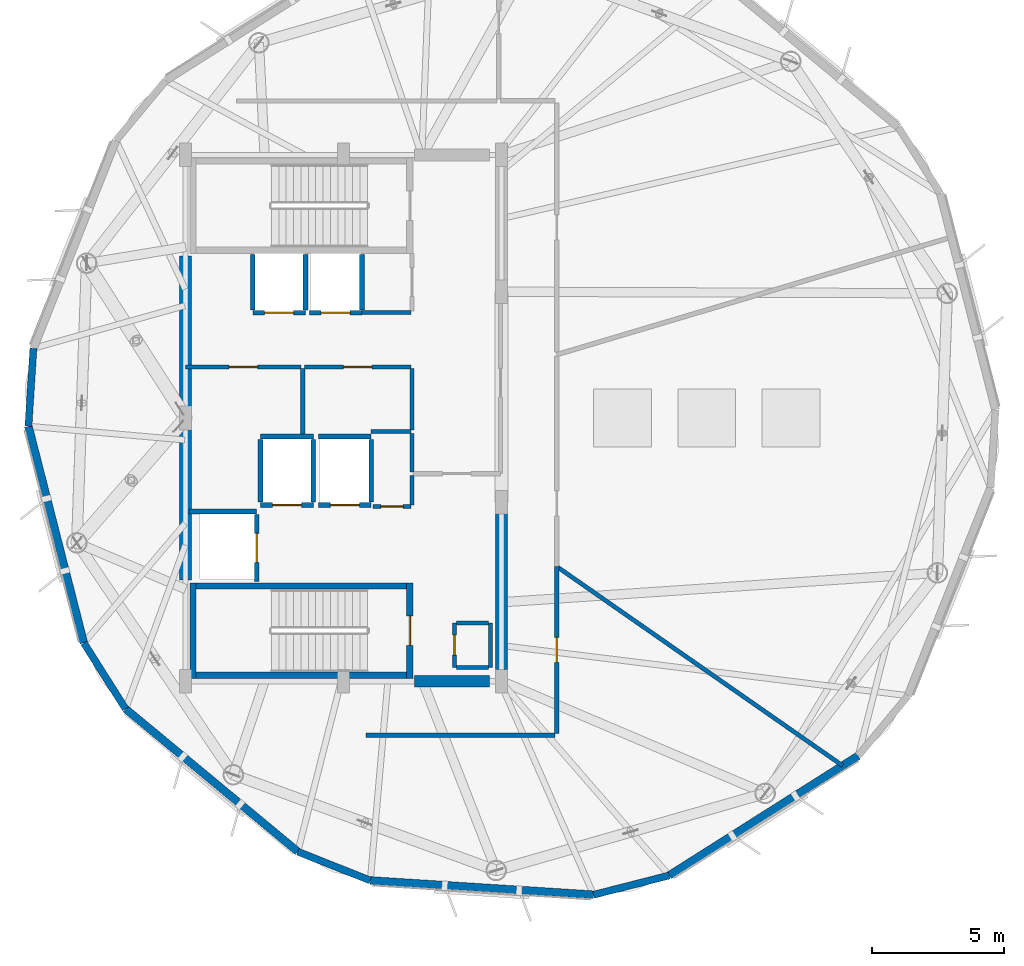
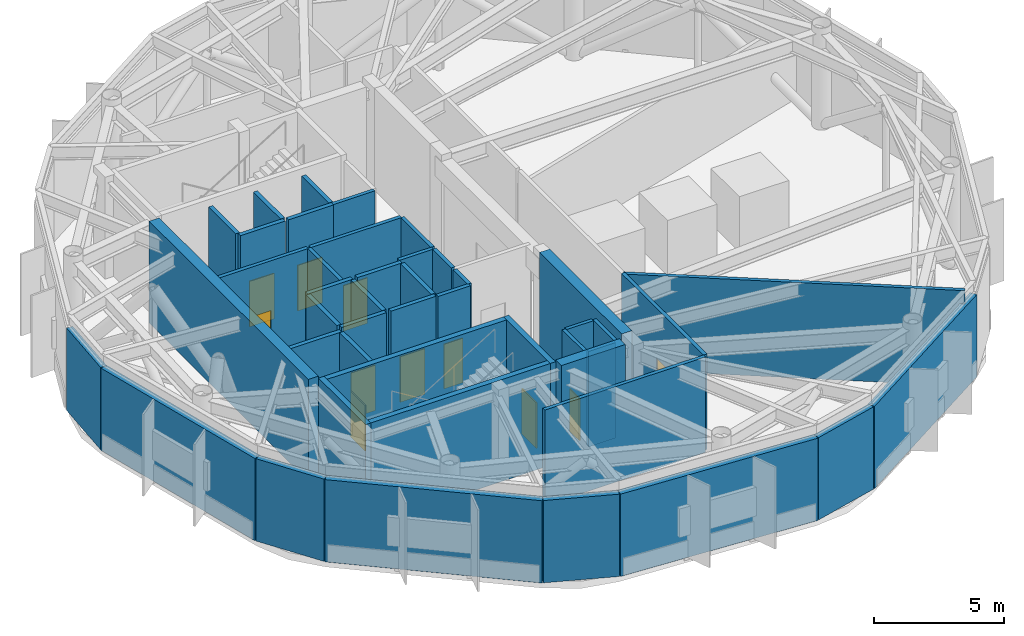
# One storey, part 9 of 14: 45 walls, 11 doors, 11 openings.
"""IFC4 building model written with IfcOpenShell, lengths in metres."""

from ifc_helpers import new_model, si_unit, direction, frame, frame_2d, origin, place, context, subcontext, project, spatial, rectangle, extrude, material, layer, layer_set, type_object, element, fill, save


model = new_model("IFC4")

# Units and contexts
model_context = context("Model", 3, precision=1e-05, world=origin(), true_north=direction((0.0, 1.0)))
body_context = subcontext(model_context, "Body", "Model", "MODEL_VIEW")
ifc_project = project(units=[si_unit("LENGTHUNIT", "METRE"), si_unit("AREAUNIT", "SQUARE_METRE"), si_unit("VOLUMEUNIT", "CUBIC_METRE"), si_unit("PLANEANGLEUNIT", "RADIAN"), si_unit("MASSUNIT", "GRAM", prefix="KILO")], contexts=[model_context])

# Site, building, storey
site_placement = place(None, origin())
site = spatial("IfcSite", under=ifc_project, at=site_placement, CompositionType="ELEMENT")
building_placement = place(site_placement, origin())
building = spatial("IfcBuilding", under=site, at=building_placement, Name="Soratama Intermodal Tower", CompositionType="ELEMENT")
storey_placement = place(building_placement, frame((0.0, 0.0, 283.75)))
storey = spatial("IfcBuildingStorey", under=building, at=storey_placement, Name="L72", CompositionType="ELEMENT", Elevation=283.75)

# Walls
ifc_material_1 = material(Name="Concrete f'c 42 MPa", Category="concrete")
ifc_layer_1 = layer(ifc_material_1, 0.27001953125)
ifc_layer_set_1 = layer_set([ifc_layer_1], Name="Concrete f'c 42 MPa")
wall_type_1 = type_object("IfcWallType", Name="EW-CRN-270", PredefinedType="SOLIDWALL", material=ifc_layer_set_1)
for number, where, z_axis, x_axis, name in (
    (1, (26.81396484375, 27.649658203125, 0.0), (0.0, 0.0, 1.0), (-0.063864083628, -0.997958605766, 0.0), "L72 Corner Closure Wall 03"),
    (2, (28.729736328125, 16.4541015625, 0.0), (0.0, 0.0, 1.0), (0.53500509147, -0.844848833876, 0.0), "L72 Corner Closure Wall 04"),
    (3, (36.8603515625, 8.52294921875, 0.0), (0.0, 0.0, 1.0), (0.929387668471, -0.369105082183, 0.0), "L72 Corner Closure Wall 05"),
):
    element("IfcWall", number, at=place(storey_placement, frame(where, z_axis=z_axis, x_axis=x_axis)), inside=storey, type_object=wall_type_1, Name=name, PredefinedType="SOLIDWALL", context=body_context, shape_type="SweptSolid", body=[
        extrude(rectangle(XDim=2.966552734375, YDim=0.27001953125, at=frame_2d((1.4833984375, 0.0))), origin(), (0.0, 0.0, 1.0), 3.87890625),
    ])
wall_1_placement = place(storey_placement, frame((48.099853515625, 6.88525390625, 0.0), z_axis=(0.0, 0.0, 1.0), x_axis=(0.968836239426, 0.247702121861, 0.0)))
element("IfcWall", 4, at=wall_1_placement, inside=storey, type_object=wall_type_1, Name="L72 Corner Closure Wall 06", PredefinedType="SOLIDWALL", context=body_context, shape_type="SweptSolid", body=[
    extrude(rectangle(XDim=2.966796875, YDim=0.27001953125, at=frame_2d((1.4833984375, 0.0))), origin(), (0.0, 0.0, 1.0), 3.87890625),
])
ifc_material_2 = material(Name="Concrete f'c 42 MPa", Category="concrete")
ifc_layer_2 = layer(ifc_material_2, 0.300048828125)
ifc_layer_set_2 = layer_set([ifc_layer_2], Name="Concrete f'c 42 MPa")
wall_type_2 = type_object("IfcWallType", Name="EW-STONE-300", PredefinedType="SOLIDWALL", material=ifc_layer_set_2)
wall_2_placement = place(storey_placement, frame((26.62451171875, 24.689208984375, 0.0), z_axis=(0.0, 0.0, 1.0), x_axis=(0.24767525763, -0.968843107401, 0.0)))
element("IfcWall", 5, at=wall_2_placement, inside=storey, type_object=wall_type_2, Name="L72 Plant Wall F04", PredefinedType="SOLIDWALL", context=body_context, shape_type="SweptSolid", body=[
    extrude(rectangle(XDim=8.5, YDim=0.300048828125, at=frame_2d((4.25, 0.0))), origin(), (0.0, 0.0, 1.0), 3.87890625),
])
for number, where, z_axis, x_axis, name in (
    (6, (30.31689453125, 13.94775390625, 0.0), (0.0, 0.0, 1.0), (0.769843323731, -0.638232917443, 0.0), "L72 Plant Wall F05"),
    (7, (39.617431640625, 7.427978515625, 0.0), (0.0, 0.0, 1.0), (0.997959397667, -0.06385170795, 0.0), "L72 Plant Wall F06"),
    (8, (50.97412109375, 7.6201171875, 0.0), (0.0, 0.0, 1.0), (0.844890477206, 0.534939325089, 0.0), "L72 Plant Wall F07"),
):
    element("IfcWall", number, at=place(storey_placement, frame(where, z_axis=z_axis, x_axis=x_axis)), inside=storey, type_object=wall_type_2, Name=name, PredefinedType="SOLIDWALL", context=body_context, shape_type="SweptSolid", body=[
        extrude(rectangle(XDim=8.499755859375, YDim=0.300048828125, at=frame_2d((4.25, 0.0))), origin(), (0.0, 0.0, 1.0), 3.87890625),
    ])
ifc_material_3 = material(Name="Fire-rated gypsum stud partition", Category="concrete")
ifc_layer_3 = layer(ifc_material_3, 0.14990234375)
ifc_layer_set_3 = layer_set([ifc_layer_3], Name="Fire-rated gypsum stud partition")
wall_type_3 = type_object("IfcWallType", Name="IW-PART-R150", PredefinedType="PARTITIONING", material=ifc_layer_set_3)
for number, where, z_axis, x_axis, name in (
    (9, (42.89990234375, 15.52001953125, 0.0), (0.0, 0.0, 1.0), (1.0, 0.0, 0.0), "L72 Riser Wall S"),
    (10, (42.89990234375, 17.219970703125, 0.0), (0.0, 0.0, 1.0), (1.0, 0.0, 0.0), "L72 Riser Wall N"),
):
    element("IfcWall", number, at=place(storey_placement, frame(where, z_axis=z_axis, x_axis=x_axis)), inside=storey, type_object=wall_type_3, Name=name, PredefinedType="PARTITIONING", context=body_context, shape_type="SweptSolid", body=[
        extrude(rectangle(XDim=1.2001953125, YDim=0.14990234375, at=frame_2d((0.60009765625, 0.0))), origin(), (0.0, 0.0, 1.0), 4.5),
    ])
wall_3_placement = place(storey_placement, frame((44.179931640625, 15.52001953125, 0.0), z_axis=(0.0, 0.0, 1.0), x_axis=(0.0, 1.0, 0.0)))
element("IfcWall", 11, at=wall_3_placement, inside=storey, type_object=wall_type_3, Name="L72 Riser Wall E", PredefinedType="PARTITIONING", context=body_context, shape_type="SweptSolid", body=[
    extrude(rectangle(XDim=1.699951171875, YDim=0.14990234375, at=frame_2d((0.85009765625, 0.0))), origin(), (0.0, 0.0, 1.0), 4.5),
])

# Wall, opening, door
wall_4_placement = place(storey_placement, frame((42.820068359375, 15.52001953125, 0.0), z_axis=(0.0, 0.0, 1.0), x_axis=(0.0, 1.0, 0.0)))
wall_4 = element("IfcWall", 12, at=wall_4_placement, inside=storey, type_object=wall_type_3, Name="L72 Riser Front Wall", PredefinedType="PARTITIONING", context=body_context, shape_type="SweptSolid", body=[
    extrude(rectangle(XDim=1.699951171875, YDim=0.14990234375, at=frame_2d((0.85009765625, 0.0))), origin(), (0.0, 0.0, 1.0), 4.5),
])
opening_1_placement = place(wall_4_placement, frame((0.469970703125, 0.0, 0.0)))
opening_1 = element("IfcOpeningElement", 13, at=opening_1_placement, cuts=wall_4, Name="Opening TD-1", PredefinedType="OPENING", context=body_context, shape_type="SweptSolid", body=[
    extrude(rectangle(XDim=0.760009765625, YDim=2.0, at=frame_2d((0.3798828125, 1.0))), frame((0.0, 0.0849609375, 0.0), z_axis=(0.0, -1.0, 0.0), x_axis=(1.0, 0.0, 0.0)), (0.0, 0.0, 1.0), 0.169921875),
])
ifc_material_4 = material(Name="Steel fire door", Category="steel")
door_type_1 = type_object("IfcDoorType", Name="DR-RISER-TRAP", OperationType="NOTDEFINED", PredefinedType="TRAPDOOR", material=ifc_material_4)
door_1_placement = place(opening_1_placement, origin())
door_1 = element("IfcDoor", 14, at=door_1_placement, inside=storey, type_object=door_type_1, Name="L72 Riser Inspection Door", OperationType="SINGLE_SWING_LEFT", OverallHeight=2.0, OverallWidth=0.760009765625, PredefinedType="TRAPDOOR", context=body_context, shape_type="SweptSolid", body=[
    extrude(rectangle(XDim=0.760009765625, YDim=2.0, at=frame_2d((0.3798828125, 1.0))), frame((0.0, 0.02490234375, 0.0), z_axis=(0.0, -1.0, 0.0), x_axis=(1.0, 0.0, 0.0)), (0.0, 0.0, 1.0), 0.050048828125),
])
fill(opening_1, door_1)

# Wall
ifc_material_5 = material(Name="Fire-rated gypsum stud partition", Category="concrete")
ifc_layer_4 = layer(ifc_material_5, 0.159912109375)
ifc_layer_set_4 = layer_set([ifc_layer_4], Name="Fire-rated gypsum stud partition")
wall_type_4 = type_object("IfcWallType", Name="IW-PART-R160", PredefinedType="PARTITIONING", material=ifc_layer_set_4)
wall_5_placement = place(storey_placement, frame((57.56298828125, 11.7919921875, 0.0), z_axis=(0.0, 0.0, 1.0), x_axis=(-0.820550968736, 0.571573361614, 0.0)))
element("IfcWall", 15, at=wall_5_placement, inside=storey, type_object=wall_type_4, Name="L72 Partition W-L72-TP002", PredefinedType="PARTITIONING", context=body_context, shape_type="SweptSolid", body=[
    extrude(rectangle(XDim=13.23876953125, YDim=0.159912109375, at=frame_2d((6.619384765625, 0.0))), origin(), (0.0, 0.0, 1.0), 4.5),
])

# Wall, opening, door
wall_6_placement = place(storey_placement, frame((46.699951171875, 19.35888671875, 0.0), z_axis=(0.0, 0.0, 1.0), x_axis=(0.0, -1.0, 0.0)))
wall_6 = element("IfcWall", 16, at=wall_6_placement, inside=storey, type_object=wall_type_4, Name="L72 Partition W-L72-TP006", PredefinedType="PARTITIONING", context=body_context, shape_type="SweptSolid", body=[
    extrude(rectangle(XDim=6.3388671875, YDim=0.159912109375, at=frame_2d((3.16943359375, 0.0))), origin(), (0.0, 0.0, 1.0), 4.5),
])
opening_2_placement = place(wall_6_placement, frame((2.695068359375, 0.0, 0.0)))
opening_2 = element("IfcOpeningElement", 17, at=opening_2_placement, cuts=wall_6, Name="Opening ID-3", PredefinedType="OPENING", context=body_context, shape_type="SweptSolid", body=[
    extrude(rectangle(XDim=0.949951171875, YDim=2.14990234375, at=frame_2d((0.47509765625, 1.074951171875))), frame((0.0, 0.08984375, 0.0), z_axis=(0.0, -1.0, 0.0), x_axis=(1.0, 0.0, 0.0)), (0.0, 0.0, 1.0), 0.179931640625),
])
ifc_material_6 = material(Name="Solid hardwood acoustic door", Category="wood")
door_type_2 = type_object("IfcDoorType", Name="DR-ROOM-950", OperationType="NOTDEFINED", PredefinedType="DOOR", material=ifc_material_6)
door_2_placement = place(opening_2_placement, origin())
door_2 = element("IfcDoor", 18, at=door_2_placement, inside=storey, type_object=door_type_2, Name="L72 Door D-L72-TP004", OperationType="SINGLE_SWING_LEFT", OverallHeight=2.14990234375, OverallWidth=0.949951171875, PredefinedType="DOOR", context=body_context, shape_type="SweptSolid", body=[
    extrude(rectangle(XDim=0.949951171875, YDim=2.14990234375, at=frame_2d((0.47509765625, 1.074951171875))), frame((0.0, 0.02490234375, 0.0), z_axis=(0.0, -1.0, 0.0), x_axis=(1.0, 0.0, 0.0)), (0.0, 0.0, 1.0), 0.050048828125),
])
fill(opening_2, door_2)

wall_7_placement = place(storey_placement, frame((36.989990234375, 26.93994140625, 0.0), z_axis=(0.0, 0.0, 1.0), x_axis=(-1.0, 0.0, 0.0)))
wall_7 = element("IfcWall", 19, at=wall_7_placement, inside=storey, type_object=wall_type_4, Name="L72 Partition W-L72-TP008", PredefinedType="PARTITIONING", context=body_context, shape_type="SweptSolid", body=[
    extrude(rectangle(XDim=4.389892578125, YDim=0.159912109375, at=frame_2d((2.19482421875, 0.0))), origin(), (0.0, 0.0, 1.0), 4.5),
])
opening_3_placement = place(wall_7_placement, frame((1.655029296875, 0.0, 0.0)))
opening_3 = element("IfcOpeningElement", 20, at=opening_3_placement, cuts=wall_7, Name="Opening ID-1", PredefinedType="OPENING", context=body_context, shape_type="SweptSolid", body=[
    extrude(rectangle(XDim=1.080078125, YDim=2.14990234375, at=frame_2d((0.5400390625, 1.074951171875))), frame((0.0, 0.08984375, 0.0), z_axis=(0.0, -1.0, 0.0), x_axis=(1.0, 0.0, 0.0)), (0.0, 0.0, 1.0), 0.179931640625),
])
ifc_material_7 = material(Name="Solid hardwood acoustic door", Category="wood")
door_type_3 = type_object("IfcDoorType", Name="DR-LOB-FD60", OperationType="NOTDEFINED", PredefinedType="DOOR", material=ifc_material_7)
door_3_placement = place(opening_3_placement, origin())
door_3 = element("IfcDoor", 21, at=door_3_placement, inside=storey, type_object=door_type_3, Name="L72 Door D-L72-TP005", OperationType="SINGLE_SWING_RIGHT", OverallHeight=2.14990234375, OverallWidth=1.080078125, PredefinedType="DOOR", context=body_context, shape_type="SweptSolid", body=[
    extrude(rectangle(XDim=1.080078125, YDim=2.14990234375, at=frame_2d((0.5400390625, 1.074951171875))), frame((0.0, 0.02490234375, 0.0), z_axis=(0.0, -1.0, 0.0), x_axis=(1.0, 0.0, 0.0)), (0.0, 0.0, 1.0), 0.050048828125),
])
fill(opening_3, door_3)

wall_8_placement = place(storey_placement, frame((41.159912109375, 26.93994140625, 0.0), z_axis=(0.0, 0.0, 1.0), x_axis=(-1.0, 0.0, 0.0)))
wall_8 = element("IfcWall", 22, at=wall_8_placement, inside=storey, type_object=wall_type_4, Name="L72 Partition W-L72-TP009", PredefinedType="PARTITIONING", context=body_context, shape_type="SweptSolid", body=[
    extrude(rectangle(XDim=4.0498046875, YDim=0.159912109375, at=frame_2d((2.02490234375, 0.0))), origin(), (0.0, 0.0, 1.0), 4.5),
])
opening_4_placement = place(wall_8_placement, frame((1.485107421875, 0.0, 0.0)))
opening_4 = element("IfcOpeningElement", 23, at=opening_4_placement, cuts=wall_8, Name="Opening ID-1", PredefinedType="OPENING", context=body_context, shape_type="SweptSolid", body=[
    extrude(rectangle(XDim=1.080078125, YDim=2.14990234375, at=frame_2d((0.5400390625, 1.074951171875))), frame((0.0, 0.08984375, 0.0), z_axis=(0.0, -1.0, 0.0), x_axis=(1.0, 0.0, 0.0)), (0.0, 0.0, 1.0), 0.179931640625),
])
door_4_placement = place(opening_4_placement, origin())
door_4 = element("IfcDoor", 24, at=door_4_placement, inside=storey, type_object=door_type_3, Name="L72 Door D-L72-TP006", OperationType="SINGLE_SWING_LEFT", OverallHeight=2.14990234375, OverallWidth=1.080078125, PredefinedType="DOOR", context=body_context, shape_type="SweptSolid", body=[
    extrude(rectangle(XDim=1.080078125, YDim=2.14990234375, at=frame_2d((0.5400390625, 1.074951171875))), frame((0.0, 0.02490234375, 0.0), z_axis=(0.0, -1.0, 0.0), x_axis=(1.0, 0.0, 0.0)), (0.0, 0.0, 1.0), 0.050048828125),
])
fill(opening_4, door_4)

# Walls
wall_9_placement = place(storey_placement, frame((37.050048828125, 26.8798828125, 0.0), z_axis=(0.0, 0.0, 1.0), x_axis=(0.0, -1.0, 0.0)))
element("IfcWall", 25, at=wall_9_placement, inside=storey, type_object=wall_type_4, Name="L72 Partition W-L72-TP011", PredefinedType="PARTITIONING", context=body_context, shape_type="SweptSolid", body=[
    extrude(rectangle(XDim=2.579833984375, YDim=0.159912109375, at=frame_2d((1.2900390625, 0.0))), origin(), (0.0, 0.0, 1.0), 4.5),
])
wall_10_placement = place(storey_placement, frame((41.199951171875, 24.550048828125, 0.0), z_axis=(0.0, 0.0, 1.0), x_axis=(0.0, 1.0, 0.0)))
element("IfcWall", 26, at=wall_10_placement, inside=storey, type_object=wall_type_4, Name="L72 Partition W-L72-TP012", PredefinedType="PARTITIONING", context=body_context, shape_type="SweptSolid", body=[
    extrude(rectangle(XDim=2.329833984375, YDim=0.159912109375, at=frame_2d((1.1650390625, 0.0))), origin(), (0.0, 0.0, 1.0), 4.5),
])
wall_11_placement = place(storey_placement, frame((39.300048828125, 29.010009765625, 0.0), z_axis=(0.0, 0.0, 1.0), x_axis=(1.0, 0.0, 0.0)))
element("IfcWall", 27, at=wall_11_placement, inside=storey, type_object=wall_type_4, Name="L72 Partition W-L72-TP015", PredefinedType="PARTITIONING", context=body_context, shape_type="SweptSolid", body=[
    extrude(rectangle(XDim=1.85986328125, YDim=0.159912109375, at=frame_2d((0.929931640625, 0.0))), origin(), (0.0, 0.0, 1.0), 4.5),
])
wall_12_placement = place(storey_placement, frame((39.64990234375, 24.485107421875, 0.0), z_axis=(0.0, 0.0, 1.0), x_axis=(1.0, 0.0, 0.0)))
element("IfcWall", 28, at=wall_12_placement, inside=storey, type_object=wall_type_4, Name="L72 Partition W-L72-TP016", PredefinedType="PARTITIONING", context=body_context, shape_type="SweptSolid", body=[
    extrude(rectangle(XDim=1.510009765625, YDim=0.159912109375, at=frame_2d((0.7548828125, 0.0))), origin(), (0.0, 0.0, 1.0), 4.5),
])
wall_13_placement = place(storey_placement, frame((41.199951171875, 22.9599609375, 0.0), z_axis=(0.0, 0.0, 1.0), x_axis=(0.0, 1.0, 0.0)))
element("IfcWall", 29, at=wall_13_placement, inside=storey, type_object=wall_type_4, Name="L72 Partition W-L72-TP017", PredefinedType="PARTITIONING", context=body_context, shape_type="SweptSolid", body=[
    extrude(rectangle(XDim=1.4599609375, YDim=0.159912109375, at=frame_2d((0.72998046875, 0.0))), origin(), (0.0, 0.0, 1.0), 4.5),
])
wall_14_placement = place(storey_placement, frame((46.6298828125, 12.949951171875, 0.0), z_axis=(0.0, 0.0, 1.0), x_axis=(-1.0, 0.0, 0.0)))
element("IfcWall", 30, at=wall_14_placement, inside=storey, type_object=wall_type_4, Name="L72 Partition W-L72-TP021", PredefinedType="PARTITIONING", context=body_context, shape_type="SweptSolid", body=[
    extrude(rectangle(XDim=7.1728515625, YDim=0.159912109375, at=frame_2d((3.58642578125, 0.0))), origin(), (0.0, 0.0, 1.0), 4.5),
])

# Wall, opening, door
ifc_material_8 = material(Name="Fire-rated gypsum stud partition", Category="concrete")
ifc_layer_5 = layer(ifc_material_8, 0.169921875)
ifc_layer_set_5 = layer_set([ifc_layer_5], Name="Fire-rated gypsum stud partition")
wall_type_5 = type_object("IfcWallType", Name="IW-PART-R170", PredefinedType="PARTITIONING", material=ifc_layer_set_5)
wall_15_placement = place(storey_placement, frame((39.719970703125, 21.639892578125, 0.0), z_axis=(0.0, 0.0, 1.0), x_axis=(1.0, 0.0, 0.0)))
wall_15 = element("IfcWall", 31, at=wall_15_placement, inside=storey, type_object=wall_type_5, Name="L72 Partition W-L72-TP018", PredefinedType="PARTITIONING", context=body_context, shape_type="SweptSolid", body=[
    extrude(rectangle(XDim=1.43994140625, YDim=0.169921875, at=frame_2d((0.719970703125, 0.0))), origin(), (0.0, 0.0, 1.0), 4.5),
])
opening_5_placement = place(wall_15_placement, frame((0.294921875, 0.0, 0.0)))
opening_5 = element("IfcOpeningElement", 32, at=opening_5_placement, cuts=wall_15, Name="Opening ID-4", PredefinedType="OPENING", context=body_context, shape_type="SweptSolid", body=[
    extrude(rectangle(XDim=0.85009765625, YDim=2.10009765625, at=frame_2d((0.425048828125, 1.050048828125))), frame((0.0, 0.094970703125, 0.0), z_axis=(0.0, -1.0, 0.0), x_axis=(1.0, 0.0, 0.0)), (0.0, 0.0, 1.0), 0.18994140625),
])
ifc_material_9 = material(Name="Solid hardwood acoustic door", Category="wood")
door_type_4 = type_object("IfcDoorType", Name="DR-BATH-850", OperationType="NOTDEFINED", PredefinedType="DOOR", material=ifc_material_9)
door_5_placement = place(opening_5_placement, origin())
door_5 = element("IfcDoor", 33, at=door_5_placement, inside=storey, type_object=door_type_4, Name="L72 Door D-L72-TP009", OperationType="SINGLE_SWING_RIGHT", OverallHeight=2.10009765625, OverallWidth=0.85009765625, PredefinedType="DOOR", context=body_context, shape_type="SweptSolid", body=[
    extrude(rectangle(XDim=0.85009765625, YDim=2.10009765625, at=frame_2d((0.425048828125, 1.050048828125))), frame((0.0, 0.02490234375, 0.0), z_axis=(0.0, -1.0, 0.0), x_axis=(1.0, 0.0, 0.0)), (0.0, 0.0, 1.0), 0.050048828125),
])
fill(opening_5, door_5)

# Wall
wall_16_placement = place(storey_placement, frame((41.199951171875, 21.699951171875, 0.0), z_axis=(0.0, 0.0, 1.0), x_axis=(0.0, 1.0, 0.0)))
element("IfcWall", 34, at=wall_16_placement, inside=storey, type_object=wall_type_5, Name="L72 Partition W-L72-TP019", PredefinedType="PARTITIONING", context=body_context, shape_type="SweptSolid", body=[
    extrude(rectangle(XDim=1.1201171875, YDim=0.169921875, at=frame_2d((0.56005859375, 0.0))), origin(), (0.0, 0.0, 1.0), 4.5),
])

# Wall, opening, door
ifc_material_10 = material(Name="Concrete f'c 42 MPa", Category="concrete")
ifc_layer_6 = layer(ifc_material_10, 0.18505859375)
ifc_layer_set_6 = layer_set([ifc_layer_6], Name="Concrete f'c 42 MPa")
wall_type_6 = type_object("IfcWallType", Name="IW-SHAFT-185", PredefinedType="SOLIDWALL", material=ifc_layer_set_6)
wall_17_placement = place(storey_placement, frame((35.449951171875, 21.699951171875, 0.0), z_axis=(0.0, 0.0, 1.0), x_axis=(1.0, 0.0, 0.0)))
wall_17 = element("IfcWall", 35, at=wall_17_placement, inside=storey, type_object=wall_type_6, Name="L72 FFL-1 Hoistway Wall S", PredefinedType="SOLIDWALL", context=body_context, shape_type="SweptSolid", body=[
    extrude(rectangle(XDim=2.0, YDim=0.18505859375, at=frame_2d((1.0, 0.0))), origin(), (0.0, 0.0, 1.0), 4.5),
])
opening_6_placement = place(wall_17_placement, frame((0.449951171875, 0.0, 0.0)))
opening_6 = element("IfcOpeningElement", 36, at=opening_6_placement, cuts=wall_17, Name="Opening LD-1", PredefinedType="OPENING", context=body_context, shape_type="SweptSolid", body=[
    extrude(rectangle(XDim=1.10009765625, YDim=2.14990234375, at=frame_2d((0.550048828125, 1.074951171875))), frame((0.0, 0.1025390625, 0.0), z_axis=(0.0, -1.0, 0.0), x_axis=(1.0, 0.0, 0.0)), (0.0, 0.0, 1.0), 0.205078125),
])
ifc_material_11 = material(Name="Steel fire door", Category="steel")
door_type_5 = type_object("IfcDoorType", Name="DR-LIFT-SLIDE", OperationType="NOTDEFINED", PredefinedType="DOOR", material=ifc_material_11)
door_6_placement = place(opening_6_placement, origin())
door_6 = element("IfcDoor", 37, at=door_6_placement, inside=storey, type_object=door_type_5, Name="L72 FFL-1 Sliding Landing Door", OperationType="SLIDING_TO_LEFT", OverallHeight=2.14990234375, OverallWidth=1.10009765625, PredefinedType="DOOR", context=body_context, shape_type="SweptSolid", body=[
    extrude(rectangle(XDim=1.10009765625, YDim=2.14990234375, at=frame_2d((0.550048828125, 1.074951171875))), frame((0.0, 0.02490234375, 0.0), z_axis=(0.0, -1.0, 0.0), x_axis=(1.0, 0.0, 0.0)), (0.0, 0.0, 1.0), 0.050048828125),
])
fill(opening_6, door_6)

# Walls
wall_18_placement = place(storey_placement, frame((35.449951171875, 24.300048828125, 0.0), z_axis=(0.0, 0.0, 1.0), x_axis=(1.0, 0.0, 0.0)))
element("IfcWall", 38, at=wall_18_placement, inside=storey, type_object=wall_type_6, Name="L72 FFL-1 Hoistway Wall N", PredefinedType="SOLIDWALL", context=body_context, shape_type="SweptSolid", body=[
    extrude(rectangle(XDim=2.0, YDim=0.18505859375, at=frame_2d((1.0, 0.0))), origin(), (0.0, 0.0, 1.0), 4.5),
])
for number, where, z_axis, x_axis, name in (
    (39, (35.449951171875, 21.81005859375, 0.0), (0.0, 0.0, 1.0), (0.0, 1.0, 0.0), "L72 FFL-1 Hoistway Wall W"),
    (40, (37.449951171875, 21.81005859375, 0.0), (0.0, 0.0, 1.0), (0.0, 1.0, 0.0), "L72 FFL-1 Hoistway Wall E"),
):
    element("IfcWall", number, at=place(storey_placement, frame(where, z_axis=z_axis, x_axis=x_axis)), inside=storey, type_object=wall_type_6, Name=name, PredefinedType="SOLIDWALL", context=body_context, shape_type="SweptSolid", body=[
        extrude(rectangle(XDim=2.3798828125, YDim=0.18505859375, at=frame_2d((1.18994140625, 0.0))), origin(), (0.0, 0.0, 1.0), 4.5),
    ])

# Wall, opening, door
wall_19_placement = place(storey_placement, frame((37.64990234375, 21.699951171875, 0.0), z_axis=(0.0, 0.0, 1.0), x_axis=(1.0, 0.0, 0.0)))
wall_19 = element("IfcWall", 41, at=wall_19_placement, inside=storey, type_object=wall_type_6, Name="L72 FFL-2 Hoistway Wall S", PredefinedType="SOLIDWALL", context=body_context, shape_type="SweptSolid", body=[
    extrude(rectangle(XDim=2.0, YDim=0.18505859375, at=frame_2d((1.0, 0.0))), origin(), (0.0, 0.0, 1.0), 4.5),
])
opening_7_placement = place(wall_19_placement, frame((0.449951171875, 0.0, 0.0)))
opening_7 = element("IfcOpeningElement", 42, at=opening_7_placement, cuts=wall_19, Name="Opening LD-1", PredefinedType="OPENING", context=body_context, shape_type="SweptSolid", body=[
    extrude(rectangle(XDim=1.10009765625, YDim=2.14990234375, at=frame_2d((0.550048828125, 1.074951171875))), frame((0.0, 0.1025390625, 0.0), z_axis=(0.0, -1.0, 0.0), x_axis=(1.0, 0.0, 0.0)), (0.0, 0.0, 1.0), 0.205078125),
])
door_7_placement = place(opening_7_placement, origin())
door_7 = element("IfcDoor", 43, at=door_7_placement, inside=storey, type_object=door_type_5, Name="L72 FFL-2 Sliding Landing Door", OperationType="SLIDING_TO_LEFT", OverallHeight=2.14990234375, OverallWidth=1.10009765625, PredefinedType="DOOR", context=body_context, shape_type="SweptSolid", body=[
    extrude(rectangle(XDim=1.10009765625, YDim=2.14990234375, at=frame_2d((0.550048828125, 1.074951171875))), frame((0.0, 0.02490234375, 0.0), z_axis=(0.0, -1.0, 0.0), x_axis=(1.0, 0.0, 0.0)), (0.0, 0.0, 1.0), 0.050048828125),
])
fill(opening_7, door_7)

# Walls
wall_20_placement = place(storey_placement, frame((37.64990234375, 24.300048828125, 0.0), z_axis=(0.0, 0.0, 1.0), x_axis=(1.0, 0.0, 0.0)))
element("IfcWall", 44, at=wall_20_placement, inside=storey, type_object=wall_type_6, Name="L72 FFL-2 Hoistway Wall N", PredefinedType="SOLIDWALL", context=body_context, shape_type="SweptSolid", body=[
    extrude(rectangle(XDim=2.0, YDim=0.18505859375, at=frame_2d((1.0, 0.0))), origin(), (0.0, 0.0, 1.0), 4.5),
])
wall_21_placement = place(storey_placement, frame((39.64990234375, 21.81005859375, 0.0), z_axis=(0.0, 0.0, 1.0), x_axis=(0.0, 1.0, 0.0)))
element("IfcWall", 45, at=wall_21_placement, inside=storey, type_object=wall_type_6, Name="L72 FFL-2 Hoistway Wall E", PredefinedType="SOLIDWALL", context=body_context, shape_type="SweptSolid", body=[
    extrude(rectangle(XDim=2.3798828125, YDim=0.18505859375, at=frame_2d((1.18994140625, 0.0))), origin(), (0.0, 0.0, 1.0), 4.5),
])
wall_22_placement = place(storey_placement, frame((32.719970703125, 21.449951171875, 0.0), z_axis=(0.0, 0.0, 1.0), x_axis=(1.0, 0.0, 0.0)))
element("IfcWall", 46, at=wall_22_placement, inside=storey, type_object=wall_type_6, Name="L72 SVL-1 Hoistway Wall N", PredefinedType="SOLIDWALL", context=body_context, shape_type="SweptSolid", body=[
    extrude(rectangle(XDim=2.580078125, YDim=0.18505859375, at=frame_2d((1.2900390625, 0.0))), origin(), (0.0, 0.0, 1.0), 4.5),
])

# Wall, opening, door
wall_23_placement = place(storey_placement, frame((35.300048828125, 18.7900390625, 0.0), z_axis=(0.0, 0.0, 1.0), x_axis=(0.0, 1.0, 0.0)))
wall_23 = element("IfcWall", 47, at=wall_23_placement, inside=storey, type_object=wall_type_6, Name="L72 SVL-1 Hoistway Wall E", PredefinedType="SOLIDWALL", context=body_context, shape_type="SweptSolid", body=[
    extrude(rectangle(XDim=2.550048828125, YDim=0.18505859375, at=frame_2d((1.27490234375, 0.0))), origin(), (0.0, 0.0, 1.0), 4.5),
])
opening_8_placement = place(wall_23_placement, frame((0.72509765625, 0.0, 0.0)))
opening_8 = element("IfcOpeningElement", 48, at=opening_8_placement, cuts=wall_23, Name="Opening LD-1", PredefinedType="OPENING", context=body_context, shape_type="SweptSolid", body=[
    extrude(rectangle(XDim=1.10009765625, YDim=2.14990234375, at=frame_2d((0.550048828125, 1.074951171875))), frame((0.0, 0.1025390625, 0.0), z_axis=(0.0, -1.0, 0.0), x_axis=(1.0, 0.0, 0.0)), (0.0, 0.0, 1.0), 0.205078125),
])
door_8_placement = place(opening_8_placement, origin())
door_8 = element("IfcDoor", 49, at=door_8_placement, inside=storey, type_object=door_type_5, Name="L72 SVL-1 Sliding Landing Door", OperationType="SLIDING_TO_LEFT", OverallHeight=2.14990234375, OverallWidth=1.10009765625, PredefinedType="DOOR", context=body_context, shape_type="SweptSolid", body=[
    extrude(rectangle(XDim=1.10009765625, YDim=2.14990234375, at=frame_2d((0.550048828125, 1.074951171875))), frame((0.0, 0.02490234375, 0.0), z_axis=(0.0, -1.0, 0.0), x_axis=(1.0, 0.0, 0.0)), (0.0, 0.0, 1.0), 0.050048828125),
])
fill(opening_8, door_8)

wall_24_placement = place(storey_placement, frame((35.14990234375, 29.0, 0.0), z_axis=(0.0, 0.0, 1.0), x_axis=(1.0, 0.0, 0.0)))
wall_24 = element("IfcWall", 50, at=wall_24_placement, inside=storey, type_object=wall_type_6, Name="L72 PL-H1 Hoistway Wall S", PredefinedType="SOLIDWALL", context=body_context, shape_type="SweptSolid", body=[
    extrude(rectangle(XDim=2.0, YDim=0.18505859375, at=frame_2d((1.0, 0.0))), origin(), (0.0, 0.0, 1.0), 4.5),
])
opening_9_placement = place(wall_24_placement, frame((0.449951171875, 0.0, 0.0)))
opening_9 = element("IfcOpeningElement", 51, at=opening_9_placement, cuts=wall_24, Name="Opening LD-1", PredefinedType="OPENING", context=body_context, shape_type="SweptSolid", body=[
    extrude(rectangle(XDim=1.10009765625, YDim=2.14990234375, at=frame_2d((0.550048828125, 1.074951171875))), frame((0.0, 0.1025390625, 0.0), z_axis=(0.0, -1.0, 0.0), x_axis=(1.0, 0.0, 0.0)), (0.0, 0.0, 1.0), 0.205078125),
])
door_9_placement = place(opening_9_placement, origin())
door_9 = element("IfcDoor", 52, at=door_9_placement, inside=storey, type_object=door_type_5, Name="L72 PL-H1 Sliding Landing Door", OperationType="SLIDING_TO_LEFT", OverallHeight=2.14990234375, OverallWidth=1.10009765625, PredefinedType="DOOR", context=body_context, shape_type="SweptSolid", body=[
    extrude(rectangle(XDim=1.10009765625, YDim=2.14990234375, at=frame_2d((0.550048828125, 1.074951171875))), frame((0.0, 0.02490234375, 0.0), z_axis=(0.0, -1.0, 0.0), x_axis=(1.0, 0.0, 0.0)), (0.0, 0.0, 1.0), 0.050048828125),
])
fill(opening_9, door_9)

# Walls
for number, where, z_axis, x_axis, name in (
    (53, (35.14990234375, 29.110107421875, 0.0), (0.0, 0.0, 1.0), (0.0, 1.0, 0.0), "L72 PL-H1 Hoistway Wall W"),
    (54, (37.14990234375, 29.110107421875, 0.0), (0.0, 0.0, 1.0), (0.0, 1.0, 0.0), "L72 PL-H1 Hoistway Wall E"),
):
    element("IfcWall", number, at=place(storey_placement, frame(where, z_axis=z_axis, x_axis=x_axis)), inside=storey, type_object=wall_type_6, Name=name, PredefinedType="SOLIDWALL", context=body_context, shape_type="SweptSolid", body=[
        extrude(rectangle(XDim=2.099853515625, YDim=0.18505859375, at=frame_2d((1.0498046875, 0.0))), origin(), (0.0, 0.0, 1.0), 4.5),
    ])

# Wall, opening, door
wall_25_placement = place(storey_placement, frame((37.300048828125, 29.0, 0.0), z_axis=(0.0, 0.0, 1.0), x_axis=(1.0, 0.0, 0.0)))
wall_25 = element("IfcWall", 55, at=wall_25_placement, inside=storey, type_object=wall_type_6, Name="L72 PL-H2 Hoistway Wall S", PredefinedType="SOLIDWALL", context=body_context, shape_type="SweptSolid", body=[
    extrude(rectangle(XDim=2.0, YDim=0.18505859375, at=frame_2d((1.0, 0.0))), origin(), (0.0, 0.0, 1.0), 4.5),
])
opening_10_placement = place(wall_25_placement, frame((0.449951171875, 0.0, 0.0)))
opening_10 = element("IfcOpeningElement", 56, at=opening_10_placement, cuts=wall_25, Name="Opening LD-1", PredefinedType="OPENING", context=body_context, shape_type="SweptSolid", body=[
    extrude(rectangle(XDim=1.10009765625, YDim=2.14990234375, at=frame_2d((0.550048828125, 1.074951171875))), frame((0.0, 0.1025390625, 0.0), z_axis=(0.0, -1.0, 0.0), x_axis=(1.0, 0.0, 0.0)), (0.0, 0.0, 1.0), 0.205078125),
])
door_10_placement = place(opening_10_placement, origin())
door_10 = element("IfcDoor", 57, at=door_10_placement, inside=storey, type_object=door_type_5, Name="L72 PL-H2 Sliding Landing Door", OperationType="SLIDING_TO_LEFT", OverallHeight=2.14990234375, OverallWidth=1.10009765625, PredefinedType="DOOR", context=body_context, shape_type="SweptSolid", body=[
    extrude(rectangle(XDim=1.10009765625, YDim=2.14990234375, at=frame_2d((0.550048828125, 1.074951171875))), frame((0.0, 0.02490234375, 0.0), z_axis=(0.0, -1.0, 0.0), x_axis=(1.0, 0.0, 0.0)), (0.0, 0.0, 1.0), 0.050048828125),
])
fill(opening_10, door_10)

# Walls
wall_26_placement = place(storey_placement, frame((39.300048828125, 29.110107421875, 0.0), z_axis=(0.0, 0.0, 1.0), x_axis=(0.0, 1.0, 0.0)))
element("IfcWall", 58, at=wall_26_placement, inside=storey, type_object=wall_type_6, Name="L72 PL-H2 Hoistway Wall E", PredefinedType="SOLIDWALL", context=body_context, shape_type="SweptSolid", body=[
    extrude(rectangle(XDim=2.099853515625, YDim=0.18505859375, at=frame_2d((1.0498046875, 0.0))), origin(), (0.0, 0.0, 1.0), 4.5),
])
ifc_material_12 = material(Name="Concrete f'c 56 MPa", Category="concrete")
ifc_layer_7 = layer(ifc_material_12, 0.449951171875)
ifc_layer_set_7 = layer_set([ifc_layer_7], Name="Concrete f'c 56 MPa")
wall_type_7 = type_object("IfcWallType", Name="SW-CORE-450", PredefinedType="SHEAR", material=ifc_layer_set_7)
wall_27_placement = place(storey_placement, frame((32.60009765625, 18.85009765625, 0.0), z_axis=(0.0, 0.0, 1.0), x_axis=(0.0, 1.0, 0.0)))
element("IfcWall", 59, at=wall_27_placement, inside=storey, type_object=wall_type_7, Name="L72 Core Shear Wall CW-WMID", PredefinedType="SHEAR", context=body_context, shape_type="SweptSolid", body=[
    extrude(rectangle(XDim=12.2998046875, YDim=0.449951171875, at=frame_2d((6.14990234375, 0.0))), origin(), (0.0, 0.0, 1.0), 4.800048828125),
])
wall_28_placement = place(storey_placement, frame((41.300048828125, 15.0, 0.0), z_axis=(0.0, 0.0, 1.0), x_axis=(1.0, 0.0, 0.0)))
element("IfcWall", 60, at=wall_28_placement, inside=storey, type_object=wall_type_7, Name="L72 Core Shear Wall CW-SE", PredefinedType="SHEAR", context=body_context, shape_type="SweptSolid", body=[
    extrude(rectangle(XDim=2.849853515625, YDim=0.449951171875, at=frame_2d((1.4248046875, 0.0))), origin(), (0.0, 0.0, 1.0), 4.800048828125),
])
wall_29_placement = place(storey_placement, frame((44.60009765625, 15.449951171875, 0.0), z_axis=(0.0, 0.0, 1.0), x_axis=(0.0, 1.0, 0.0)))
element("IfcWall", 61, at=wall_29_placement, inside=storey, type_object=wall_type_7, Name="L72 Core Shear Wall CW-ES", PredefinedType="SHEAR", context=body_context, shape_type="SweptSolid", body=[
    extrude(rectangle(XDim=6.35009765625, YDim=0.449951171875, at=frame_2d((3.175048828125, 0.0))), origin(), (0.0, 0.0, 1.0), 4.800048828125),
])
ifc_material_13 = material(Name="Concrete f'c 56 MPa", Category="concrete")
ifc_layer_8 = layer(ifc_material_13, 0.239990234375)
ifc_layer_set_8 = layer_set([ifc_layer_8], Name="Concrete f'c 56 MPa")
wall_type_8 = type_object("IfcWallType", Name="SW-STAIR-240", PredefinedType="SHEAR", material=ifc_layer_set_8)
wall_30_placement = place(storey_placement, frame((32.8798828125, 15.110107421875, 0.0), z_axis=(0.0, 0.0, 1.0), x_axis=(0.0, 1.0, 0.0)))
element("IfcWall", 62, at=wall_30_placement, inside=storey, type_object=wall_type_8, Name="L72 ST-1 Shaft Shear Wall W", PredefinedType="SHEAR", context=body_context, shape_type="SweptSolid", body=[
    extrude(rectangle(XDim=3.6298828125, YDim=0.239990234375, at=frame_2d((1.81494140625, 0.0))), origin(), (0.0, 0.0, 1.0), 4.800048828125),
])

# Wall, opening, door
wall_31_placement = place(storey_placement, frame((41.1201171875, 15.110107421875, 0.0), z_axis=(0.0, 0.0, 1.0), x_axis=(0.0, 1.0, 0.0)))
wall_31 = element("IfcWall", 63, at=wall_31_placement, inside=storey, type_object=wall_type_8, Name="L72 ST-1 Shaft Shear Wall E", PredefinedType="SHEAR", context=body_context, shape_type="SweptSolid", body=[
    extrude(rectangle(XDim=3.6298828125, YDim=0.239990234375, at=frame_2d((1.81494140625, 0.0))), origin(), (0.0, 0.0, 1.0), 4.800048828125),
])
opening_11_placement = place(wall_31_placement, frame((1.2548828125, 0.0, 0.0)))
opening_11 = element("IfcOpeningElement", 64, at=opening_11_placement, cuts=wall_31, Name="Opening SD-1", PredefinedType="OPENING", context=body_context, shape_type="SweptSolid", body=[
    extrude(rectangle(XDim=1.1201171875, YDim=2.14990234375, at=frame_2d((0.56005859375, 1.074951171875))), frame((0.0, 0.1298828125, 0.0), z_axis=(0.0, -1.0, 0.0), x_axis=(1.0, 0.0, 0.0)), (0.0, 0.0, 1.0), 0.260009765625),
])
ifc_material_14 = material(Name="Steel fire door", Category="steel")
door_type_6 = type_object("IfcDoorType", Name="DR-STAIR-FD90", OperationType="NOTDEFINED", PredefinedType="DOOR", material=ifc_material_14)
door_11_placement = place(opening_11_placement, origin())
door_11 = element("IfcDoor", 65, at=door_11_placement, inside=storey, type_object=door_type_6, Name="L72 ST-1 Exit Stair Door", OperationType="SINGLE_SWING_LEFT", OverallHeight=2.14990234375, OverallWidth=1.1201171875, PredefinedType="DOOR", context=body_context, shape_type="SweptSolid", body=[
    extrude(rectangle(XDim=1.1201171875, YDim=2.14990234375, at=frame_2d((0.56005859375, 1.074951171875))), frame((0.0, 0.02490234375, 0.0), z_axis=(0.0, -1.0, 0.0), x_axis=(1.0, 0.0, 0.0)), (0.0, 0.0, 1.0), 0.050048828125),
])
fill(opening_11, door_11)

# Walls
for number, where, z_axis, x_axis, name in (
    (66, (33.0, 15.22998046875, 0.0), (0.0, 0.0, 1.0), (1.0, 0.0, 0.0), "L72 ST-1 Shaft Shear Wall S"),
    (67, (33.0, 18.6201171875, 0.0), (0.0, 0.0, 1.0), (1.0, 0.0, 0.0), "L72 ST-1 Shaft Shear Wall N"),
):
    element("IfcWall", number, at=place(storey_placement, frame(where, z_axis=z_axis, x_axis=x_axis)), inside=storey, type_object=wall_type_8, Name=name, PredefinedType="SHEAR", context=body_context, shape_type="SweptSolid", body=[
        extrude(rectangle(XDim=8.0, YDim=0.239990234375, at=frame_2d((4.0, 0.0))), origin(), (0.0, 0.0, 1.0), 4.800048828125),
    ])

save(model, "model.ifc")
